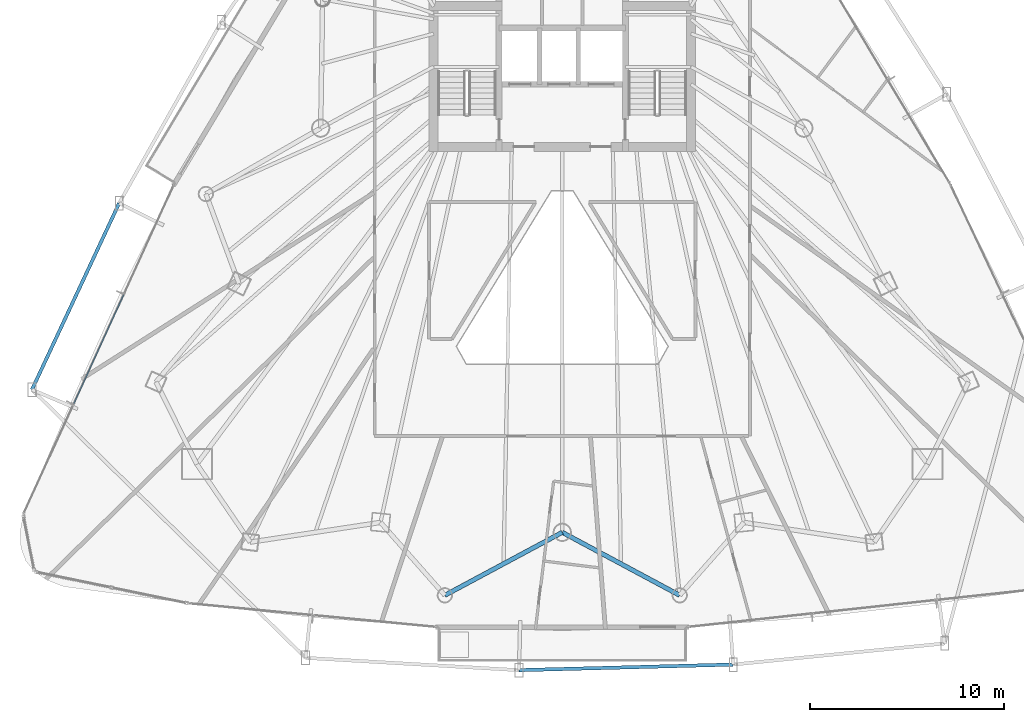
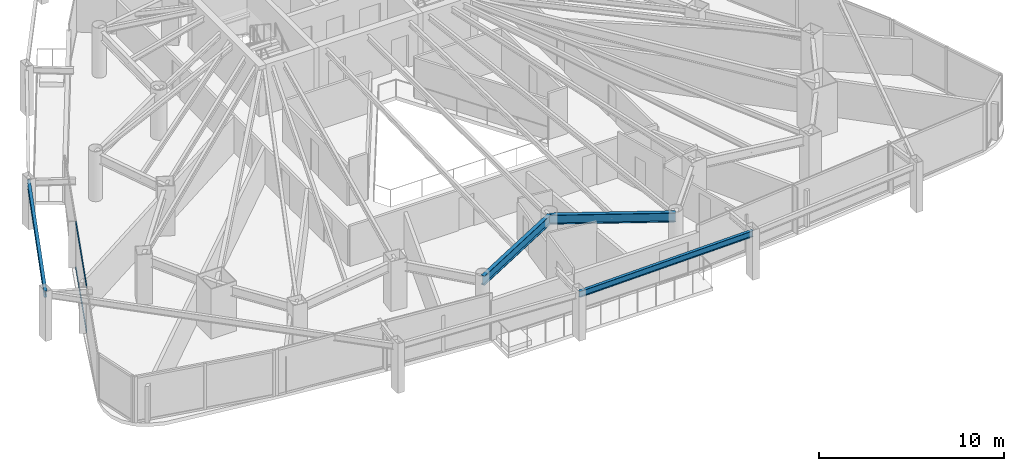
# One storey, part 7 of 34: 4 beams, 2 members, 1 element without a shape of its own.
"""IFC4 building model written with IfcOpenShell, lengths in metres."""

from ifc_helpers import new_model, si_unit, direction, frame, origin, origin_2d, place, context, subcontext, project, spatial, hollow_rectangle, i_section, extrude, material, layer, layer_set, material_profile, profile_set, type_object, element, aggregate, save


model = new_model("IFC4")

# Units and contexts
model_context = context("Model", 3, precision=1e-05, world=origin(), true_north=direction((0.0, 1.0)))
body_context = subcontext(model_context, "Body", "Model", "MODEL_VIEW")
ifc_project = project(units=[si_unit("LENGTHUNIT", "METRE"), si_unit("AREAUNIT", "SQUARE_METRE"), si_unit("VOLUMEUNIT", "CUBIC_METRE"), si_unit("PLANEANGLEUNIT", "RADIAN"), si_unit("MASSUNIT", "GRAM", prefix="KILO")], contexts=[model_context])

# Site, building, storey
site_placement = place(None, origin())
site = spatial("IfcSite", under=ifc_project, at=site_placement, CompositionType="ELEMENT")
building_placement = place(site_placement, origin())
building = spatial("IfcBuilding", under=site, at=building_placement, Name="Orvanel Arch Residences", CompositionType="ELEMENT")
storey_placement = place(building_placement, frame((0.0, 0.0, 67.550048828125)))
storey = spatial("IfcBuildingStorey", under=building, at=storey_placement, Name="L18", CompositionType="ELEMENT", Elevation=67.550048828125)

# Beams
ifc_material_1 = material(Name="Structural steel AS/NZS 3679.1 Grade 300 (300 MPa)", Category="steel")
ifc_material_profile_1 = material_profile(ifc_material_1, i_section(OverallWidth=0.177978515625, OverallDepth=0.406005859375, WebThickness=0.0078125, FlangeThickness=0.0126953125, at=origin_2d()), Name="410UB59.7")
ifc_profile_set_1 = profile_set([ifc_material_profile_1], Name="Structural steel AS/NZS 3679.1 Grade 300 (300 MPa)")
beam_type_1 = type_object("IfcBeamType", Name="OB-410UB-EXT", PredefinedType="SPANDREL", material=ifc_profile_set_1)
beam_1_placement = place(storey_placement, frame((10.198974609375, 23.779052734375, 2.85693359375), z_axis=(-0.423609751468, -0.90584478718, 0.0), x_axis=(0.90584478718, -0.423609751468, 0.0)))
element("IfcBeam", 1, at=beam_1_placement, inside=storey, type_object=beam_type_1, Name="L18 Outer Perimeter Floor Ring Beam 03", PredefinedType="SPANDREL", context=body_context, shape_type="SweptSolid", body=[
    extrude(i_section(OverallWidth=0.177978515625, OverallDepth=0.406005859375, WebThickness=0.0078125, FlangeThickness=0.0126953125, at=origin_2d()), origin(), (0.0, 0.0, 1.0), 10.590087890625),
])
beam_2_placement = place(storey_placement, frame((30.77099609375, -0.2470703125, 2.85693359375), z_axis=(0.999656396903, 0.02621236599, 0.0), x_axis=(-0.02621236599, 0.999656396903, 0.0)))
element("IfcBeam", 2, at=beam_2_placement, inside=storey, type_object=beam_type_1, Name="L18 Outer Perimeter Floor Ring Beam 06", PredefinedType="SPANDREL", context=body_context, shape_type="SweptSolid", body=[
    extrude(i_section(OverallWidth=0.177978515625, OverallDepth=0.406005859375, WebThickness=0.0078125, FlangeThickness=0.0126953125, at=origin_2d()), origin(), (0.0, 0.0, 1.0), 11.02783203125),
])
ifc_material_profile_2 = material_profile(ifc_material_1, i_section(OverallWidth=0.22900390625, OverallDepth=0.612060546875, WebThickness=0.011962890625, FlangeThickness=0.01953125, at=origin_2d()), Name="610UB125")
ifc_profile_set_2 = profile_set([ifc_material_profile_2], Name="Structural steel AS/NZS 3679.1 Grade 300 (300 MPa)")
beam_type_2 = type_object("IfcBeamType", Name="SP-610UB", PredefinedType="SPANDREL", material=ifc_profile_set_2)
for number, where, z_axis, x_axis, name in (
    (3, (26.9580078125, 3.60498046875, 2.75390625), (0.881344400551, 0.472474388319, 0.0), (-0.472474388319, 0.881344400551, 0.0), "L18 Perimeter Spandrel Beam 06"),
    (4, (33.0, 6.843994140625, 2.75390625), (0.881344400551, -0.472474388319, 0.0), (0.472474388319, 0.881344400551, 0.0), "L18 Perimeter Spandrel Beam 07"),
):
    element("IfcBeam", number, at=place(storey_placement, frame(where, z_axis=z_axis, x_axis=x_axis)), inside=storey, type_object=beam_type_2, Name=name, PredefinedType="SPANDREL", context=body_context, shape_type="SweptSolid", body=[
        extrude(i_section(OverallWidth=0.22900390625, OverallDepth=0.612060546875, WebThickness=0.011962890625, FlangeThickness=0.01953125, at=origin_2d()), origin(), (0.0, 0.0, 1.0), 6.85546875),
    ])

# Curtain wall, members
ifc_material_2 = material(Name="Bronze-anodised aluminium AA6063-T6", Category="aluminium")
ifc_layer = layer(ifc_material_2, 0.179931640625)
ifc_layer_set = layer_set([ifc_layer], Name="Bronze-anodised aluminium AA6063-T6")
curtain_wall_type = type_object("IfcCurtainWallType", Name="CW2-LOW-SYS", PredefinedType="NOTDEFINED", material=ifc_layer_set)
curtain_wall_placement = place(storey_placement, origin())
curtain_wall = element("IfcCurtainWall", 5, at=curtain_wall_placement, inside=storey, type_object=curtain_wall_type, Name="L18 CW2-LOW-SYS Unitised Curtain Wall", PredefinedType="NOTDEFINED")
ifc_material_profile_3 = material_profile(ifc_material_2, hollow_rectangle(XDim=0.06005859375, YDim=0.135009765625, WallThickness=0.00390625, at=origin_2d()), Name="ALU135x60x4")
ifc_profile_set_3 = profile_set([ifc_material_profile_3], Name="Bronze-anodised aluminium AA6063-T6")
member_type = type_object("IfcMemberType", Name="TRN-135x60", PredefinedType="USERDEFINED", material=ifc_profile_set_3)
member_1_placement = place(storey_placement, frame((10.42919921875, 19.061767578125, 0.030029296875), z_axis=(-0.415704488357, -0.909499740714, 0.0), x_axis=(0.909499740714, -0.415704488357, 0.0)))
member_1 = element("IfcMember", 6, at=member_1_placement, type_object=member_type, Name="CW-S2 transom 2.1", ObjectType="TRANSOM", PredefinedType="USERDEFINED", context=body_context, shape_type="SweptSolid", body=[
    extrude(hollow_rectangle(XDim=0.06005859375, YDim=0.135009765625, WallThickness=0.00390625, at=origin_2d()), origin(), (0.0, 0.0, 1.0), 6.158935546875),
])
member_2_placement = place(storey_placement, frame((10.42919921875, 19.061767578125, 3.030029296875), z_axis=(-0.415704488357, -0.909499740714, 0.0), x_axis=(0.909499740714, -0.415704488357, 0.0)))
member_2 = element("IfcMember", 7, at=member_2_placement, type_object=member_type, Name="CW-S2 transom 2.2", ObjectType="TRANSOM", PredefinedType="USERDEFINED", context=body_context, shape_type="SweptSolid", body=[
    extrude(hollow_rectangle(XDim=0.06005859375, YDim=0.135009765625, WallThickness=0.00390625, at=origin_2d()), origin(), (0.0, 0.0, 1.0), 6.158935546875),
])
aggregate(curtain_wall, [member_1, member_2])

save(model, "model.ifc")
